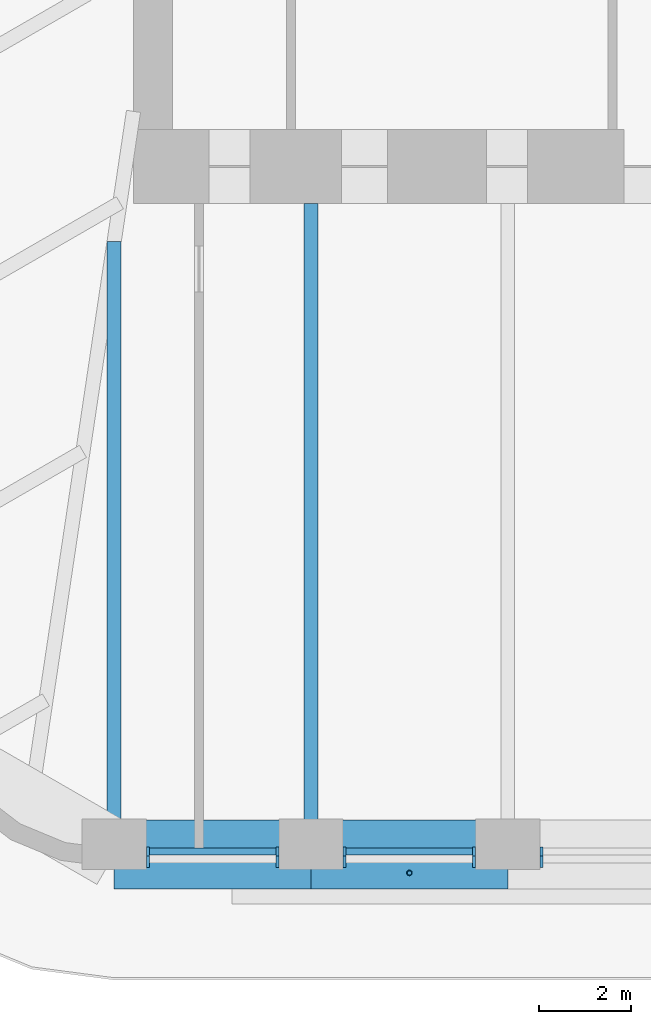
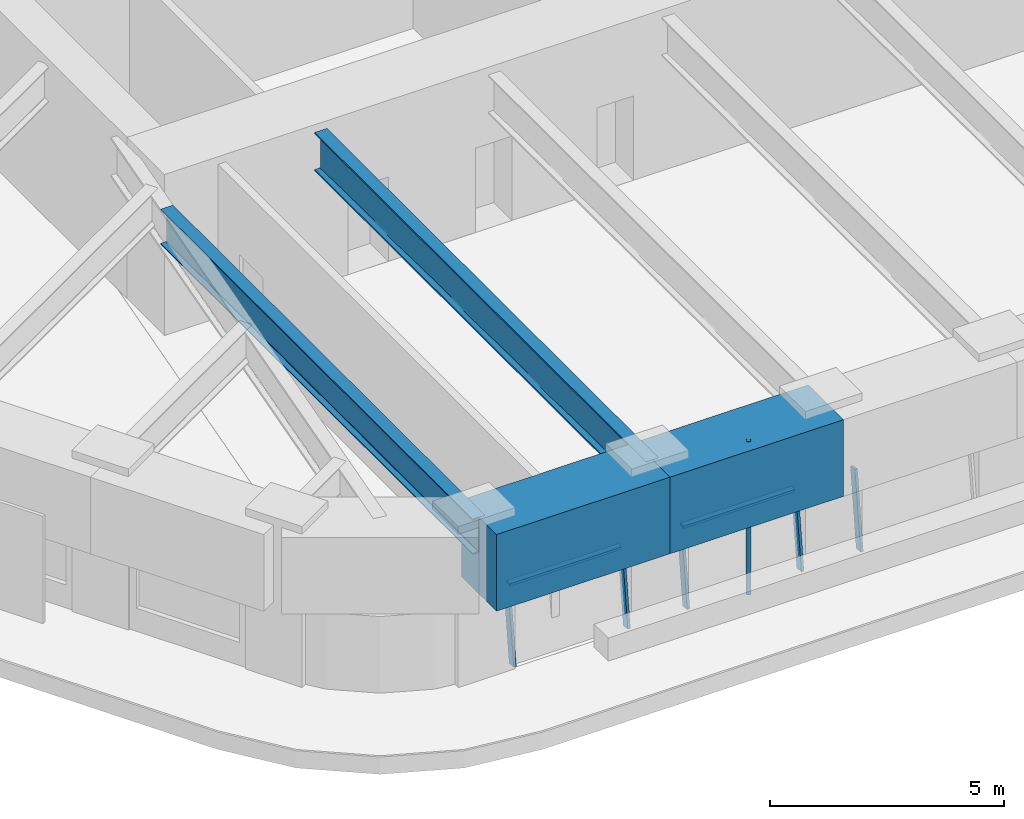
# One storey, part 2 of 18: 8 members, 4 beams, 3 elements without a shape of their own.
"""IFC4 building model written with IfcOpenShell, lengths in metres."""

from ifc_helpers import new_model, si_unit, direction, frame, origin, origin_2d, place, context, subcontext, project, spatial, rectangle, hollow_circle, i_section, extrude, material, material_profile, profile_set, type_object, element, aggregate, save


model = new_model("IFC4")

# Units and contexts
model_context = context("Model", 3, precision=1e-05, world=origin(), true_north=direction((0.0, 1.0)))
body_context = subcontext(model_context, "Body", "Model", "MODEL_VIEW")
ifc_project = project(units=[si_unit("LENGTHUNIT", "METRE"), si_unit("AREAUNIT", "SQUARE_METRE"), si_unit("VOLUMEUNIT", "CUBIC_METRE"), si_unit("PLANEANGLEUNIT", "RADIAN"), si_unit("MASSUNIT", "GRAM", prefix="KILO")], contexts=[model_context])

# Site, building, storey
site_placement = place(None, origin())
site = spatial("IfcSite", under=ifc_project, at=site_placement, CompositionType="ELEMENT")
building_placement = place(site_placement, origin())
building = spatial("IfcBuilding", under=site, at=building_placement, Name="Tarfa Lantern Tower", CompositionType="ELEMENT")
storey_placement = place(building_placement, frame((0.0, 0.0, 319.89990234375)))
storey = spatial("IfcBuildingStorey", under=building, at=storey_placement, Name="L72", CompositionType="ELEMENT", Elevation=319.89990234375)

# Curtain wall, members
ifc_material_1 = material(Name="Aluminium framed curtain wall", Category="aluminium")
curtain_wall_type = type_object("IfcCurtainWallType", Name="CW4 CANTED GLAZING EXECUTIVE ZONE 2000", PredefinedType="USERDEFINED", material=ifc_material_1)
curtain_wall_1_placement = place(storey_placement, origin())
curtain_wall_1 = element("IfcCurtainWall", 1, at=curtain_wall_1_placement, inside=storey, type_object=curtain_wall_type, Name="CW4 S L72", ObjectType="CURTAIN WALL", PredefinedType="USERDEFINED")
ifc_material_2 = material(Name="Aluminium mullion", Category="aluminium")
ifc_material_profile_1 = material_profile(ifc_material_2, rectangle(XDim=0.06494140625, YDim=0.199951171875, at=origin_2d()), Name="AL MULLION 65x200")
ifc_profile_set_1 = profile_set([ifc_material_profile_1], Name="Aluminium mullion")
member_type_1 = type_object("IfcMemberType", Name="CWM1 MULLION 65x200", PredefinedType="MULLION", material=ifc_profile_set_1)
member_1_placement = place(storey_placement, frame((-12.113525390625, -26.64990234375, 0.0), z_axis=(0.0, 0.124034734589, 0.992277876714), x_axis=(-1.0, 0.0, 0.0)))
member_1 = element("IfcMember", 2, at=member_1_placement, type_object=member_type_1, Name="CW4 mullion 1", PredefinedType="MULLION", context=body_context, shape_type="SweptSolid", body=[
    extrude(rectangle(XDim=0.06494140625, YDim=0.199951171875, at=origin_2d()), origin(), (0.0, 0.0, 1.0), 2.015625),
])
member_2_placement = place(storey_placement, frame((-9.296630859375, -26.64990234375, 0.0), z_axis=(0.0, 0.124034734589, 0.992277876714), x_axis=(-1.0, 0.0, 0.0)))
member_2 = element("IfcMember", 3, at=member_2_placement, type_object=member_type_1, Name="CW4 mullion 2", PredefinedType="MULLION", context=body_context, shape_type="SweptSolid", body=[
    extrude(rectangle(XDim=0.06494140625, YDim=0.199951171875, at=origin_2d()), origin(), (0.0, 0.0, 1.0), 2.015625),
])

curtain_wall_2_placement = place(storey_placement, origin())
curtain_wall_2 = element("IfcCurtainWall", 4, at=curtain_wall_2_placement, inside=storey, type_object=curtain_wall_type, Name="CW4 S L72", ObjectType="CURTAIN WALL", PredefinedType="USERDEFINED")
member_3_placement = place(storey_placement, frame((-7.83154296875, -26.64990234375, 0.0), z_axis=(0.0, 0.124034734589, 0.992277876714), x_axis=(-1.0, 0.0, 0.0)))
member_3 = element("IfcMember", 5, at=member_3_placement, type_object=member_type_1, Name="CW4 mullion 1", PredefinedType="MULLION", context=body_context, shape_type="SweptSolid", body=[
    extrude(rectangle(XDim=0.06494140625, YDim=0.199951171875, at=origin_2d()), origin(), (0.0, 0.0, 1.0), 2.015625),
])
member_4_placement = place(storey_placement, frame((-5.014404296875, -26.64990234375, 0.0), z_axis=(0.0, 0.124034734589, 0.992277876714), x_axis=(-1.0, 0.0, 0.0)))
member_4 = element("IfcMember", 6, at=member_4_placement, type_object=member_type_1, Name="CW4 mullion 2", PredefinedType="MULLION", context=body_context, shape_type="SweptSolid", body=[
    extrude(rectangle(XDim=0.06494140625, YDim=0.199951171875, at=origin_2d()), origin(), (0.0, 0.0, 1.0), 2.015625),
])

# Curtain wall, member
curtain_wall_3_placement = place(storey_placement, origin())
curtain_wall_3 = element("IfcCurtainWall", 7, at=curtain_wall_3_placement, inside=storey, type_object=curtain_wall_type, Name="CW4 S L72", ObjectType="CURTAIN WALL", PredefinedType="USERDEFINED")
member_5_placement = place(storey_placement, frame((-3.549560546875, -26.64990234375, 0.0), z_axis=(0.0, 0.124034734589, 0.992277876714), x_axis=(-1.0, 0.0, 0.0)))
member_5 = element("IfcMember", 8, at=member_5_placement, type_object=member_type_1, Name="CW4 mullion 1", PredefinedType="MULLION", context=body_context, shape_type="SweptSolid", body=[
    extrude(rectangle(XDim=0.06494140625, YDim=0.199951171875, at=origin_2d()), origin(), (0.0, 0.0, 1.0), 2.015625),
])
aggregate(curtain_wall_3, [member_5])

# Member
ifc_material_3 = material(Name="Aluminium transom", Category="aluminium")
ifc_material_profile_2 = material_profile(ifc_material_3, rectangle(XDim=0.14990234375, YDim=0.06494140625, at=origin_2d()), Name="AL TRANSOM 150x65")
ifc_profile_set_2 = profile_set([ifc_material_profile_2], Name="Aluminium transom")
member_type_2 = type_object("IfcMemberType", Name="CWT1 TRANSOM 150x65", PredefinedType="USERDEFINED", material=ifc_profile_set_2)
member_6_placement = place(storey_placement, frame((-12.0810546875, -26.404052734375, 1.967529296875), z_axis=(1.0, 0.0, 0.0), x_axis=(0.0, 1.0, 0.0)))
member_6 = element("IfcMember", 9, at=member_6_placement, type_object=member_type_2, Name="CW4 transom 1.2", ObjectType="TRANSOM", PredefinedType="USERDEFINED", context=body_context, shape_type="SweptSolid", body=[
    extrude(rectangle(XDim=0.14990234375, YDim=0.06494140625, at=origin_2d()), origin(), (0.0, 0.0, 1.0), 2.751953125),
])

aggregate(curtain_wall_1, [member_1, member_2, member_6])

member_7_placement = place(storey_placement, frame((-7.799072265625, -26.404052734375, 1.967529296875), z_axis=(1.0, 0.0, 0.0), x_axis=(0.0, 1.0, 0.0)))
member_7 = element("IfcMember", 10, at=member_7_placement, type_object=member_type_2, Name="CW4 transom 1.2", ObjectType="TRANSOM", PredefinedType="USERDEFINED", context=body_context, shape_type="SweptSolid", body=[
    extrude(rectangle(XDim=0.14990234375, YDim=0.06494140625, at=origin_2d()), origin(), (0.0, 0.0, 1.0), 2.751953125),
])

aggregate(curtain_wall_2, [member_3, member_4, member_7])

# Beams
ifc_material_4 = material(Name="Concrete C80/95", Category="concrete")
ifc_material_profile_3 = material_profile(ifc_material_4, rectangle(XDim=1.5, YDim=2.0, at=origin_2d()), Name="RC 1500x2000")
ifc_profile_set_3 = profile_set([ifc_material_profile_3], Name="Concrete C80/95")
beam_type_1 = type_object("IfcBeamType", Name="RB3 RC 1500x2000", PredefinedType="BEAM", material=ifc_profile_set_3)
for number, where, z_axis, x_axis, name in (
    (11, (-12.845947265625, -26.469970703125, 3.0), (1.0, 0.0, 0.0), (0.0, 1.0, 0.0), "Edge beam S0"),
    (12, (-8.56396484375, -26.469970703125, 3.0), (1.0, 0.0, 0.0), (0.0, 1.0, 0.0), "Edge beam S1"),
):
    element("IfcBeam", number, at=place(storey_placement, frame(where, z_axis=z_axis, x_axis=x_axis)), inside=storey, type_object=beam_type_1, Name=name, PredefinedType="BEAM", context=body_context, shape_type="SweptSolid", body=[
        extrude(rectangle(XDim=1.5, YDim=2.0, at=origin_2d()), origin(), (0.0, 0.0, 1.0), 4.281982421875),
    ])

# Member
ifc_material_5 = material(Name="Steel S355", Category="steel")
ifc_material_profile_4 = material_profile(ifc_material_5, hollow_circle(Radius=0.05712890625, WallThickness=0.00634765625, at=origin_2d()), Name="CHS114.3x6.3")
ifc_profile_set_4 = profile_set([ifc_material_profile_4], Name="Steel S355")
member_type_3 = type_object("IfcMemberType", Name="TR1 GREEN WALL TRELLIS CHS114.3x6.3", PredefinedType="USERDEFINED", material=ifc_profile_set_4)
member_8_placement = place(storey_placement, frame((-6.423095703125, -26.8701171875, 0.0), z_axis=(0.0, 0.0, 1.0), x_axis=(1.0, 0.0, 0.0)))
element("IfcMember", 13, at=member_8_placement, inside=storey, type_object=member_type_3, Name="Trellis post S 1", ObjectType="TRELLIS", PredefinedType="USERDEFINED", context=body_context, shape_type="SweptSolid", body=[
    extrude(hollow_circle(Radius=0.05712890625, WallThickness=0.00634765625, at=origin_2d()), origin(), (0.0, 0.0, 1.0), 4.0),
])

# Beams
ifc_material_6 = material(Name="Steel S460M", Category="steel")
ifc_material_profile_5 = material_profile(ifc_material_6, i_section(OverallWidth=0.302001953125, OverallDepth=1.008056640625, WebThickness=0.02099609375, FlangeThickness=0.0400390625, FilletRadius=0.030029296875, at=origin_2d()), Name="UB1016x305x349")
ifc_profile_set_5 = profile_set([ifc_material_profile_5], Name="Steel S460M")
beam_type_2 = type_object("IfcBeamType", Name="UB1016x305x349", PredefinedType="BEAM", material=ifc_profile_set_5)
beam_1_placement = place(storey_placement, frame((-8.56396484375, -26.469970703125, 3.49609375), z_axis=(0.0, 1.0, 0.0), x_axis=(-1.0, 0.0, 0.0)))
element("IfcBeam", 14, at=beam_1_placement, inside=storey, type_object=beam_type_2, Name="Floor beam S1", PredefinedType="BEAM", context=body_context, shape_type="SweptSolid", body=[
    extrude(i_section(OverallWidth=0.302001953125, OverallDepth=1.008056640625, WebThickness=0.02099609375, FlangeThickness=0.0400390625, FilletRadius=0.030029296875, at=origin_2d()), origin(), (0.0, 0.0, 1.0), 14.169921875),
])
ifc_material_profile_6 = material_profile(ifc_material_6, i_section(OverallWidth=0.305419921875, OverallDepth=0.91845703125, WebThickness=0.017333984375, FlangeThickness=0.02783203125, FilletRadius=0.01904296875, at=origin_2d()), Name="UB914x305x253")
ifc_profile_set_6 = profile_set([ifc_material_profile_6], Name="Steel S460M")
beam_type_3 = type_object("IfcBeamType", Name="UB914x305x253", PredefinedType="BEAM", material=ifc_profile_set_6)
beam_2_placement = place(storey_placement, frame((-12.845947265625, -26.469970703125, 3.541015625), z_axis=(0.0, 1.0, 0.0), x_axis=(-1.0, 0.0, 0.0)))
element("IfcBeam", 15, at=beam_2_placement, inside=storey, type_object=beam_type_3, Name="Floor beam S0", PredefinedType="BEAM", context=body_context, shape_type="SweptSolid", body=[
    extrude(i_section(OverallWidth=0.305419921875, OverallDepth=0.91845703125, WebThickness=0.017333984375, FlangeThickness=0.02783203125, FilletRadius=0.01904296875, at=origin_2d()), origin(), (0.0, 0.0, 1.0), 13.33935546875),
])

save(model, "model.ifc")
